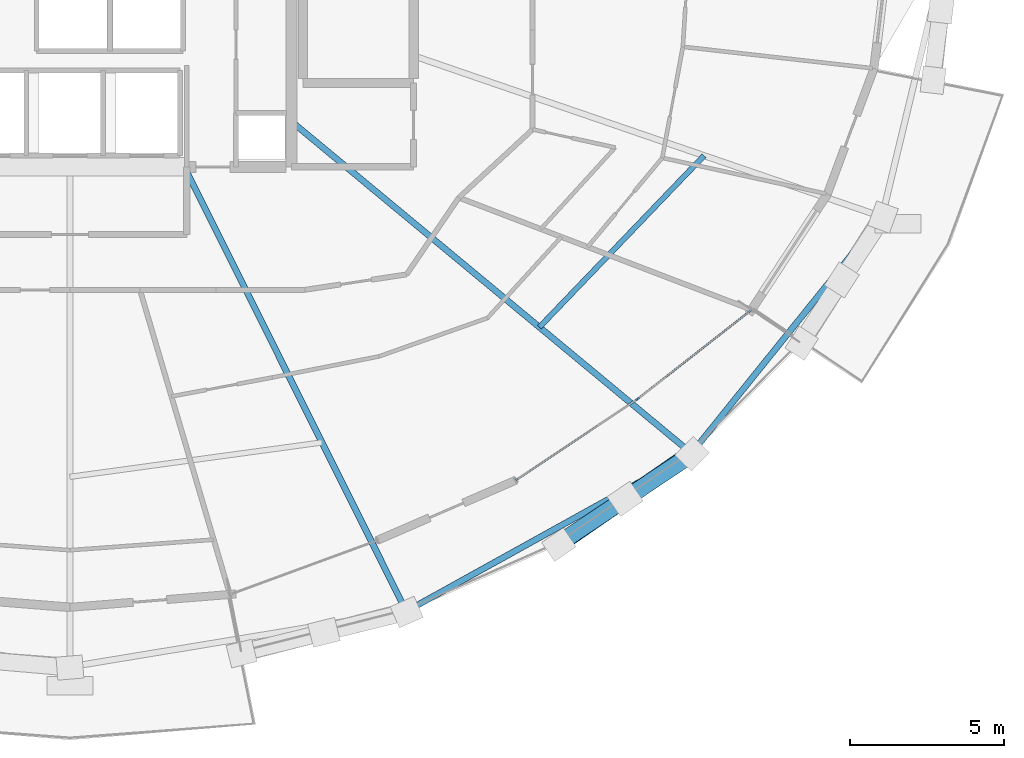
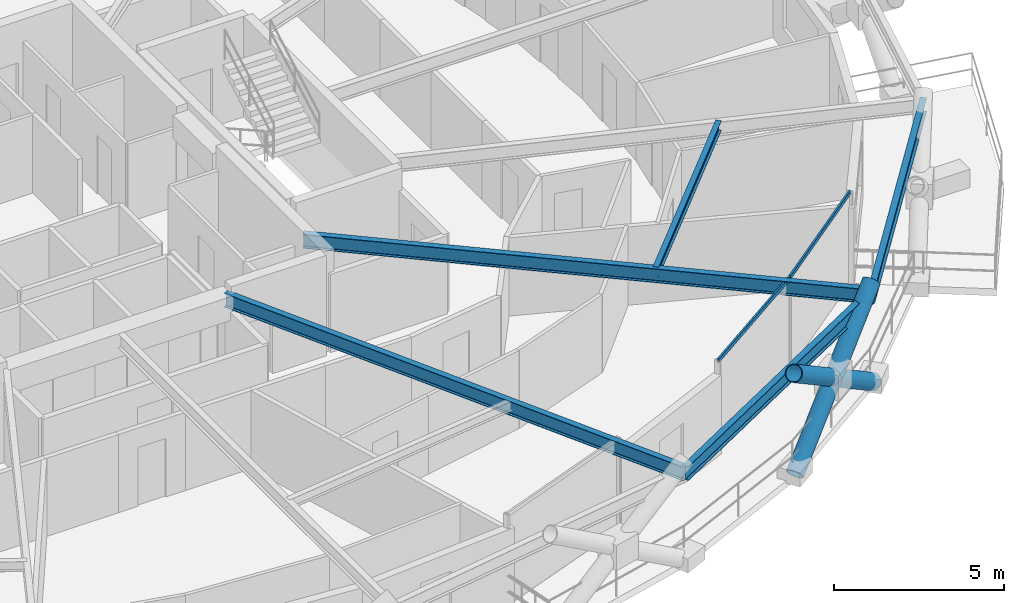
# One storey, part 3 of 12: 5 beams, 5 members, 1 element without a shape of its own.
"""IFC4 building model written with IfcOpenShell, lengths in metres."""

from ifc_helpers import new_model, si_unit, direction, frame, origin, origin_2d, place, context, subcontext, project, spatial, hollow_rectangle, hollow_circle, i_section, extrude, material, layer, layer_set, material_profile, profile_set, type_object, element, aggregate, save


model = new_model("IFC4")

# Units and contexts
model_context = context("Model", 3, precision=1e-05, world=origin(), true_north=direction((0.0, 1.0)))
body_context = subcontext(model_context, "Body", "Model", "MODEL_VIEW")
ifc_project = project(units=[si_unit("LENGTHUNIT", "METRE"), si_unit("AREAUNIT", "SQUARE_METRE"), si_unit("VOLUMEUNIT", "CUBIC_METRE"), si_unit("PLANEANGLEUNIT", "RADIAN"), si_unit("MASSUNIT", "GRAM", prefix="KILO")], contexts=[model_context])

# Site, building, storey
site_placement = place(None, origin())
site = spatial("IfcSite", under=ifc_project, at=site_placement, CompositionType="ELEMENT")
building_placement = place(site_placement, origin())
building = spatial("IfcBuilding", under=site, at=building_placement, Name="Veldorina Hangang Commons", CompositionType="ELEMENT")
storey_placement = place(building_placement, frame((0.0, 0.0, 124.39990234375)))
storey = spatial("IfcBuildingStorey", under=building, at=storey_placement, Name="L31", CompositionType="ELEMENT", Elevation=124.39990234375)

# Beams
ifc_material_1 = material(Name="Steel SM420-TMC", Category="steel")
ifc_material_profile_1 = material_profile(ifc_material_1, i_section(OverallWidth=0.199951171875, OverallDepth=0.5, WebThickness=0.010009765625, FlangeThickness=0.01611328125, FilletRadius=0.01611328125, at=origin_2d()), Name="H-500x200x10x16")
ifc_profile_set_1 = profile_set([ifc_material_profile_1], Name="Steel SM420-TMC")
beam_type_1 = type_object("IfcBeamType", Name="BM-FG500", PredefinedType="BEAM", material=ifc_profile_set_1)
beam_1_placement = place(storey_placement, frame((35.720703125, 16.550048828125, 3.10009765625), z_axis=(0.446784524562, -0.894641597855, 0.0), x_axis=(0.894641597855, 0.446784524562, 0.0)))
element("IfcBeam", 1, at=beam_1_placement, inside=storey, type_object=beam_type_1, Name="L31 radial floor girder 14", PredefinedType="BEAM", context=body_context, shape_type="SweptSolid", body=[
    extrude(i_section(OverallWidth=0.199951171875, OverallDepth=0.5, WebThickness=0.010009765625, FlangeThickness=0.01611328125, FilletRadius=0.01611328125, at=origin_2d()), origin(), (0.0, 0.0, 1.0), 16.161376953125),
])
beam_2_placement = place(storey_placement, frame((39.199951171875, 18.0283203125, 3.10009765625), z_axis=(0.76970069146, -0.638404922886, 0.0), x_axis=(0.638404922886, 0.76970069146, 0.0)))
element("IfcBeam", 2, at=beam_2_placement, inside=storey, type_object=beam_type_1, Name="L31 radial floor girder 15", PredefinedType="BEAM", context=body_context, shape_type="SweptSolid", body=[
    extrude(i_section(OverallWidth=0.199951171875, OverallDepth=0.5, WebThickness=0.010009765625, FlangeThickness=0.01611328125, FilletRadius=0.01611328125, at=origin_2d()), origin(), (0.0, 0.0, 1.0), 16.911865234375),
])
ifc_material_2 = material(Name="Steel SM355-TMC", Category="steel")
ifc_material_profile_2 = material_profile(ifc_material_2, i_section(OverallWidth=0.175048828125, OverallDepth=0.35009765625, WebThickness=0.007080078125, FlangeThickness=0.010986328125, FilletRadius=0.012939453125, at=origin_2d()), Name="H-350x175x7x11")
ifc_profile_set_2 = profile_set([ifc_material_profile_2], Name="Steel SM355-TMC")
beam_type_2 = type_object("IfcBeamType", Name="BM-JST350", PredefinedType="JOIST", material=ifc_profile_set_2)
beam_3_placement = place(storey_placement, frame((47.2705078125, 11.33447265625, 3.175048828125), z_axis=(0.692435879443, 0.721479419568, 0.0), x_axis=(-0.721479419568, 0.692435879443, 0.0)))
element("IfcBeam", 3, at=beam_3_placement, inside=storey, type_object=beam_type_2, Name="L31 secondary floor joist 15", PredefinedType="JOIST", context=body_context, shape_type="SweptSolid", body=[
    extrude(i_section(OverallWidth=0.175048828125, OverallDepth=0.35009765625, WebThickness=0.007080078125, FlangeThickness=0.010986328125, FilletRadius=0.012939453125, at=origin_2d()), origin(), (0.0, 0.0, 1.0), 7.733642578125),
])
ifc_material_profile_3 = material_profile(ifc_material_1, i_section(OverallWidth=0.199951171875, OverallDepth=0.5, WebThickness=0.010009765625, FlangeThickness=0.01611328125, FilletRadius=0.01611328125, at=origin_2d()), Name="H-500x200x10x16")
ifc_profile_set_3 = profile_set([ifc_material_profile_3], Name="Steel SM420-TMC")
beam_type_3 = type_object("IfcBeamType", Name="BM-RB500", PredefinedType="BEAM", material=ifc_profile_set_3)
beam_4_placement = place(storey_placement, frame((42.94140625, 2.09130859375, 3.10009765625), z_axis=(0.874667182289, 0.484723962917, 0.0), x_axis=(-0.484723962917, 0.874667182289, 0.0)))
element("IfcBeam", 4, at=beam_4_placement, inside=storey, type_object=beam_type_3, Name="L31 perimeter hoop ring beam 26", PredefinedType="BEAM", context=body_context, shape_type="SweptSolid", body=[
    extrude(i_section(OverallWidth=0.199951171875, OverallDepth=0.5, WebThickness=0.010009765625, FlangeThickness=0.01611328125, FilletRadius=0.01611328125, at=origin_2d()), origin(), (0.0, 0.0, 1.0), 10.604736328125),
])
beam_5_placement = place(storey_placement, frame((52.217041015625, 7.231689453125, 3.10009765625), z_axis=(0.627349520382, 0.778737811639, 0.0), x_axis=(-0.778737811639, 0.627349520382, 0.0)))
element("IfcBeam", 5, at=beam_5_placement, inside=storey, type_object=beam_type_3, Name="L31 perimeter hoop ring beam 28", PredefinedType="BEAM", context=body_context, shape_type="SweptSolid", body=[
    extrude(i_section(OverallWidth=0.199951171875, OverallDepth=0.5, WebThickness=0.010009765625, FlangeThickness=0.01611328125, FilletRadius=0.01611328125, at=origin_2d()), origin(), (0.0, 0.0, 1.0), 9.879150390625),
])

# Curtain wall, members
ifc_material_3 = material(Name="Glass Low-E Triple IGU", Category="glass")
ifc_layer = layer(ifc_material_3, 0.179931640625)
ifc_layer_set = layer_set([ifc_layer], Name="Glass Low-E Triple IGU")
curtain_wall_type = type_object("IfcCurtainWallType", Name="CW-SYS-Z2", PredefinedType="NOTDEFINED", material=ifc_layer_set)
curtain_wall_placement = place(storey_placement, origin())
curtain_wall = element("IfcCurtainWall", 6, at=curtain_wall_placement, inside=storey, type_object=curtain_wall_type, Name="L31 unitised curtain wall CW-L31-R2", PredefinedType="NOTDEFINED")
ifc_material_4 = material(Name="Aluminium Anodized AA6063-T6", Category="aluminium")
ifc_material_profile_4 = material_profile(ifc_material_4, hollow_rectangle(XDim=0.06005859375, YDim=0.139892578125, WallThickness=0.00341796875, at=origin_2d()), Name="ALU-RHS-140x60x3.5")
ifc_profile_set_4 = profile_set([ifc_material_profile_4], Name="Aluminium Anodized AA6063-T6")
member_type_1 = type_object("IfcMemberType", Name="CW-TRN-140", PredefinedType="USERDEFINED", material=ifc_profile_set_4)
member_1_placement = place(storey_placement, frame((46.50390625, 6.357421875, 3.27001953125), z_axis=(0.831939702667, 0.554866047913, 0.0), x_axis=(-0.554866047913, 0.831939702667, 0.0)))
member_1 = element("IfcMember", 7, at=member_1_placement, type_object=member_type_1, Name="CW-L31-R2 facet 1 transom 1", ObjectType="TRANSOM", PredefinedType="USERDEFINED", context=body_context, shape_type="SweptSolid", body=[
    extrude(hollow_rectangle(XDim=0.06005859375, YDim=0.139892578125, WallThickness=0.00341796875, at=origin_2d()), origin(), (0.0, 0.0, 1.0), 4.755615234375),
])
member_2_placement = place(storey_placement, frame((50.460205078125, 8.99609375, 3.27001953125), z_axis=(0.787614289105, 0.61616859024, 0.0), x_axis=(-0.61616859024, 0.787614289105, 0.0)))
member_2 = element("IfcMember", 8, at=member_2_placement, type_object=member_type_1, Name="CW-L31-R2 facet 2 transom 1", ObjectType="TRANSOM", PredefinedType="USERDEFINED", context=body_context, shape_type="SweptSolid", body=[
    extrude(hollow_rectangle(XDim=0.06005859375, YDim=0.139892578125, WallThickness=0.00341796875, at=origin_2d()), origin(), (0.0, 0.0, 1.0), 4.71337890625),
])
aggregate(curtain_wall, [member_1, member_2])

# Members
ifc_material_profile_5 = material_profile(ifc_material_1, hollow_circle(Radius=0.27490234375, WallThickness=0.028076171875, at=origin_2d()), Name="CHS-550x28")
ifc_profile_set_5 = profile_set([ifc_material_profile_5], Name="Steel SM420-TMC")
member_type_2 = type_object("IfcMemberType", Name="DG-CHS550", PredefinedType="BRACE", material=ifc_profile_set_5)
member_3_placement = place(storey_placement, frame((47.904052734375, 4.26220703125, 0.0), z_axis=(0.67822485898, 0.46786716857, 0.566666880306), x_axis=(-0.567836490357, 0.823141373167, 0.0)))
element("IfcMember", 9, at=member_3_placement, inside=storey, type_object=member_type_2, Name="L31 continuous perimeter diagrid brace 27", PredefinedType="BRACE", context=body_context, shape_type="SweptSolid", body=[
    extrude(hollow_circle(Radius=0.27490234375, WallThickness=0.028076171875, at=origin_2d()), origin(), (0.0, 0.0, 1.0), 6.35302734375),
])
member_4_placement = place(storey_placement, frame((52.2421875, 7.21435546875, 0.0), z_axis=(-0.684863542789, -0.459742812344, 0.565330411579), x_axis=(0.557355522648, -0.830273943571, 0.0)))
element("IfcMember", 10, at=member_4_placement, inside=storey, type_object=member_type_2, Name="L31 split perimeter diagrid lower brace 28", PredefinedType="BRACE", context=body_context, shape_type="SweptSolid", body=[
    extrude(hollow_circle(Radius=0.27490234375, WallThickness=0.028076171875, at=origin_2d()), origin(), (0.0, 0.0, 1.0), 3.186279296875),
])
member_5_placement = place(storey_placement, frame((50.06005859375, 5.74951171875, 1.80126953125), z_axis=(-0.684711027301, -0.459977880846, 0.565323940963), x_axis=(0.557637502957, -0.830084583218, 0.0)))
element("IfcMember", 11, at=member_5_placement, inside=storey, type_object=member_type_2, Name="L31 split perimeter diagrid upper brace 28", PredefinedType="BRACE", context=body_context, shape_type="SweptSolid", body=[
    extrude(hollow_circle(Radius=0.27490234375, WallThickness=0.028076171875, at=origin_2d()), origin(), (0.0, 0.0, 1.0), 3.181884765625),
])

save(model, "model.ifc")
